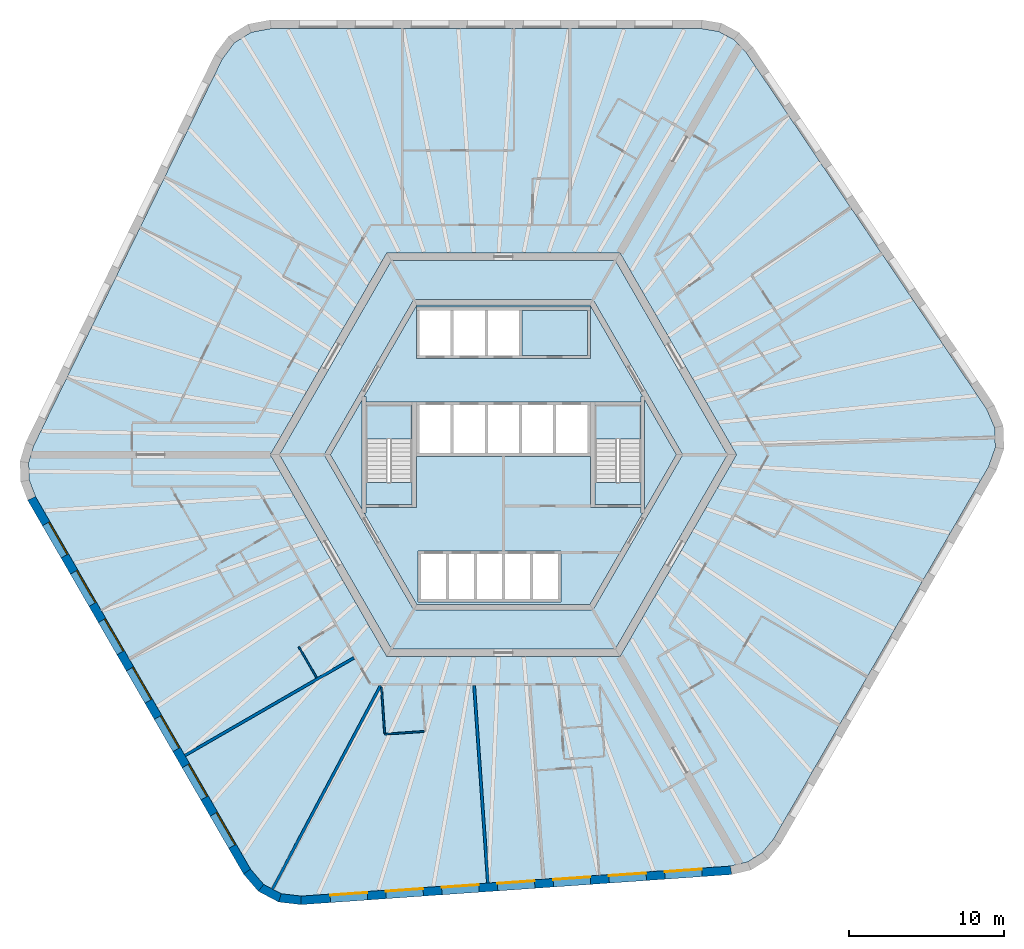
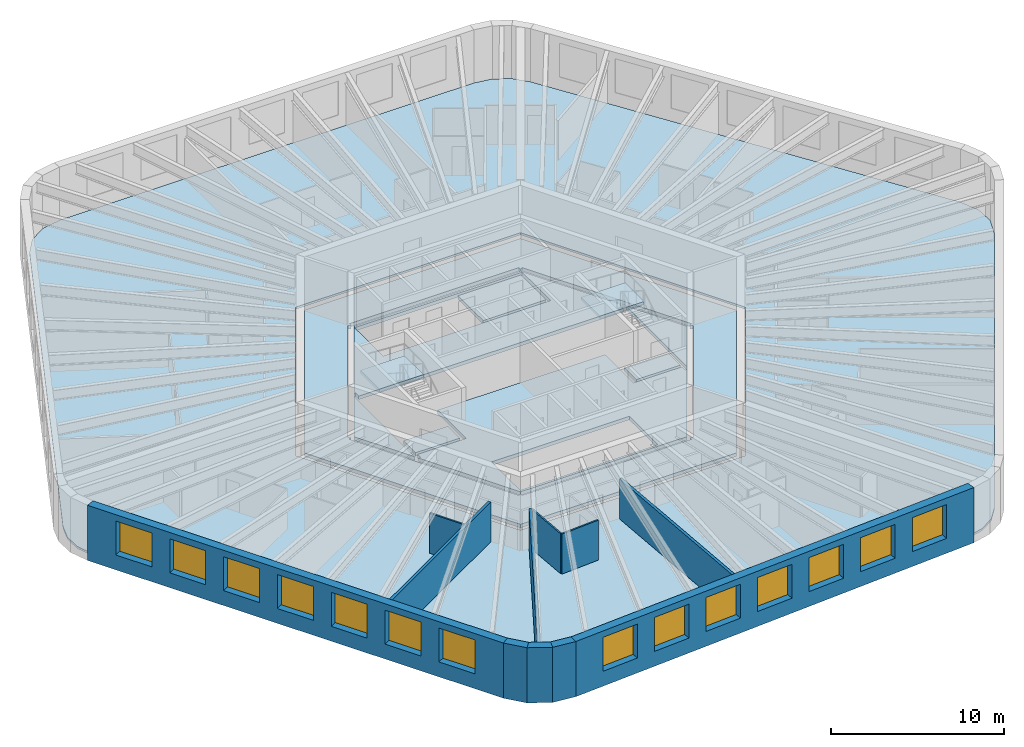
# One storey, part 2 of 10: 14 windows, 11 slabs, 11 walls, 14 openings, 2 elements without a shape of their own.
"""IFC4 building model written with IfcOpenShell, lengths in metres."""

from ifc_helpers import new_model, si_unit, direction, frame, frame_2d, origin, place, context, subcontext, project, spatial, polyline, rectangle, outline, extrude, material, layer, layer_set, type_object, element, fill, aggregate, save


model = new_model("IFC4")

# Units and contexts
model_context = context("Model", 3, precision=1e-05, world=origin(), true_north=direction((0.0, 1.0)))
body_context = subcontext(model_context, "Body", "Model", "MODEL_VIEW")
ifc_project = project(units=[si_unit("LENGTHUNIT", "METRE"), si_unit("AREAUNIT", "SQUARE_METRE"), si_unit("VOLUMEUNIT", "CUBIC_METRE"), si_unit("PLANEANGLEUNIT", "RADIAN"), si_unit("MASSUNIT", "GRAM", prefix="KILO")], contexts=[model_context])

# Site, building, storey
site_placement = place(None, origin())
site = spatial("IfcSite", under=ifc_project, at=site_placement, CompositionType="ELEMENT")
building_placement = place(site_placement, origin())
building = spatial("IfcBuilding", under=site, at=building_placement, Name="Tarnside Tower", CompositionType="ELEMENT")
storey_placement = place(building_placement, frame((0.0, 0.0, 156.60009765625)))
storey = spatial("IfcBuildingStorey", under=building, at=storey_placement, Name="L36", CompositionType="ELEMENT", Elevation=156.60009765625)

# Slabs
ifc_material_1 = material(Name="Concrete C35/45", Category="concrete")
ifc_layer_1 = layer(ifc_material_1, 0.14990234375)
ifc_layer_set_1 = layer_set([ifc_layer_1], Name="Composite floor slab 150")
slab_type_1 = type_object("IfcSlabType", Name="Composite floor slab 150", PredefinedType="FLOOR", material=ifc_layer_set_1)
slab_1_placement = place(storey_placement, frame((0.0, 0.0, -0.150146484375)))
element("IfcSlab", 1, at=slab_1_placement, inside=storey, type_object=slab_type_1, Name="Floor slab L36", PredefinedType="FLOOR", context=body_context, shape_type="SweptSolid", body=[
    extrude(outline(polyline([(13.864013671875, 27.264892578125), (14.85107421875, 26.740234375), (15.6337890625, 25.91064453125), (31.12890625, 2.938232421875), (31.644287109375, 1.7431640625), (31.68896484375, 0.468505859375), (31.258056640625, -0.759521484375), (17.403076171875, -24.7568359375), (16.68017578125, -25.63916015625), (15.732177734375, -26.2314453125), (14.622314453125, -26.494384765625), (-13.02001953125, -28.427490234375), (-14.3125, -28.2763671875), (-15.438720703125, -27.677490234375), (-16.286865234375, -26.6904296875), (-30.1416015625, -2.693115234375), (-30.544189453125, -1.6259765625), (-30.583251953125, -0.5087890625), (-30.256103515625, 0.583984375), (-18.10888671875, 25.4892578125), (-17.331787109375, 26.533203125), (-16.250244140625, 27.208984375), (-14.97119140625, 27.449951171875), (12.738525390625, 27.449951171875), (13.864013671875, 27.264892578125)]), holes=[polyline([(-15.010986328125, 0.0), (-7.505615234375, -13.0), (7.505615234375, -13.0), (15.010986328125, 0.0), (7.505615234375, 13.0), (-7.505615234375, 13.0), (-15.010986328125, 0.0)])]), origin(), (0.0, 0.0, 1.0), 0.150146484375),
])
ifc_material_2 = material(Name="Concrete C40/50", Category="concrete")
ifc_layer_2 = layer(ifc_material_2, 0.25)
ifc_layer_set_2 = layer_set([ifc_layer_2], Name="Core slab C40/50")
slab_type_2 = type_object("IfcSlabType", Name="Core slab C40/50", PredefinedType="FLOOR", material=ifc_layer_set_2)
slab_2_placement = place(storey_placement, frame((0.0, 0.0, -0.25)))
element("IfcSlab", 2, at=slab_2_placement, inside=storey, type_object=slab_type_2, Name="L36 core floor slab 1", PredefinedType="FLOOR", context=body_context, shape_type="SweptSolid", body=[
    extrude(outline(polyline([(-7.216796875, 12.5), (7.216796875, 12.5), (14.433837890625, 0.0), (7.216796875, -12.5), (-7.216796875, -12.5), (-14.433837890625, 0.0), (-7.216796875, 12.5)]), holes=[polyline([(5.823974609375, -9.91259765625), (11.49658203125, -0.08740234375), (11.344970703125, 0.0), (11.49658203125, 0.08740234375), (5.823974609375, 9.91259765625), (5.672607421875, 9.824951171875), (5.672607421875, 10.0), (-5.672607421875, 10.0), (-5.672607421875, 9.824951171875), (-5.823974609375, 9.91259765625), (-11.49658203125, 0.08740234375), (-11.344970703125, 0.0), (-11.49658203125, -0.08740234375), (-5.823974609375, -9.91259765625), (-5.672607421875, -9.824951171875), (-5.672607421875, -10.0), (5.672607421875, -10.0), (5.672607421875, -9.824951171875), (5.823974609375, -9.91259765625)])]), origin(), (0.0, 0.0, 1.0), 0.25),
])
slab_3_placement = place(storey_placement, frame((0.0, 0.0, -0.25)))
element("IfcSlab", 3, at=slab_3_placement, inside=storey, type_object=slab_type_2, Name="L36 core floor slab 2", PredefinedType="FLOOR", context=body_context, shape_type="SweptSolid", body=[
    extrude(outline(polyline([(-8.97509765625, 3.7548828125), (-5.5712890625, 9.64990234375), (5.5712890625, 9.64990234375), (8.97509765625, 3.7548828125), (8.85009765625, 3.7548828125), (8.85009765625, 3.39990234375), (5.89990234375, 3.39990234375), (5.60009765625, 3.39990234375), (5.60009765625, 3.39990234375), (-5.60009765625, 3.39990234375), (-5.89990234375, 3.39990234375), (-8.85009765625, 3.39990234375), (-8.85009765625, 3.7548828125), (-8.97509765625, 3.7548828125)]), holes=[polyline([(-5.60009765625, 6.199951171875), (5.60009765625, 6.199951171875), (5.60009765625, 6.39990234375), (5.60009765625, 9.300048828125), (5.60009765625, 9.5), (-5.60009765625, 9.5), (-5.60009765625, 9.300048828125), (-5.60009765625, 6.39990234375), (-5.60009765625, 6.199951171875)])]), origin(), (0.0, 0.0, 1.0), 0.25),
])
slab_4_placement = place(storey_placement, frame((0.0, 0.0, -0.25)))
element("IfcSlab", 4, at=slab_4_placement, inside=storey, type_object=slab_type_2, Name="L36 core floor slab 3", PredefinedType="FLOOR", context=body_context, shape_type="SweptSolid", body=[
    extrude(outline(polyline([(5.60009765625, -3.39990234375), (5.89990234375, -3.39990234375), (8.85009765625, -3.39990234375), (8.85009765625, -3.7548828125), (8.97509765625, -3.7548828125), (5.5712890625, -9.64990234375), (-5.5712890625, -9.64990234375), (-8.97509765625, -3.7548828125), (-8.85009765625, -3.7548828125), (-8.85009765625, -3.39990234375), (-5.89990234375, -3.39990234375), (-5.60009765625, -3.39990234375), (-5.60009765625, -0.10009765625), (5.60009765625, -0.10009765625), (5.60009765625, -3.39990234375)]), holes=[polyline([(-5.5, -9.300048828125), (-5.5, -9.5), (3.699951171875, -9.5), (3.699951171875, -9.300048828125), (3.699951171875, -6.39990234375), (3.699951171875, -6.199951171875), (-5.5, -6.199951171875), (-5.5, -6.39990234375), (-5.5, -9.300048828125)])]), origin(), (0.0, 0.0, 1.0), 0.25),
])
slab_5_placement = place(storey_placement, frame((0.0, 0.0, -0.25)))
element("IfcSlab", 5, at=slab_5_placement, inside=storey, type_object=slab_type_2, Name="L36 core floor slab 4", PredefinedType="FLOOR", context=body_context, shape_type="SweptSolid", body=[
    extrude(outline(polyline([(-11.142822265625, 0.0), (-9.10009765625, 3.538330078125), (-9.10009765625, -3.538330078125), (-11.142822265625, 0.0)])), origin(), (0.0, 0.0, 1.0), 0.25),
])
slab_6_placement = place(storey_placement, frame((0.0, 0.0, -0.25)))
element("IfcSlab", 6, at=slab_6_placement, inside=storey, type_object=slab_type_2, Name="L36 core floor slab 5", PredefinedType="FLOOR", context=body_context, shape_type="SweptSolid", body=[
    extrude(outline(polyline([(-8.85009765625, -1.800048828125), (-5.89990234375, -1.800048828125), (-5.89990234375, -3.199951171875), (-8.85009765625, -3.199951171875), (-8.85009765625, -1.800048828125)])), origin(), (0.0, 0.0, 1.0), 0.25),
])
slab_7_placement = place(storey_placement, frame((0.0, 0.0, -0.25)))
element("IfcSlab", 7, at=slab_7_placement, inside=storey, type_object=slab_type_2, Name="L36 core floor slab 6", PredefinedType="FLOOR", context=body_context, shape_type="SweptSolid", body=[
    extrude(outline(polyline([(5.89990234375, -3.199951171875), (5.89990234375, -1.800048828125), (8.85009765625, -1.800048828125), (8.85009765625, -3.199951171875), (5.89990234375, -3.199951171875)])), origin(), (0.0, 0.0, 1.0), 0.25),
])
slab_8_placement = place(storey_placement, frame((0.0, 0.0, -0.25)))
element("IfcSlab", 8, at=slab_8_placement, inside=storey, type_object=slab_type_2, Name="L36 core floor slab 7", PredefinedType="FLOOR", context=body_context, shape_type="SweptSolid", body=[
    extrude(outline(polyline([(9.10009765625, -3.538330078125), (9.10009765625, 3.538330078125), (11.142822265625, 0.0), (9.10009765625, -3.538330078125)])), origin(), (0.0, 0.0, 1.0), 0.25),
])
slab_9_placement = place(storey_placement, frame((0.0, 0.0, -0.25)))
element("IfcSlab", 9, at=slab_9_placement, inside=storey, type_object=slab_type_2, Name="L36 core floor slab 8", PredefinedType="FLOOR", context=body_context, shape_type="SweptSolid", body=[
    extrude(outline(polyline([(5.39990234375, 9.300048828125), (5.39990234375, 6.39990234375), (1.199951171875, 6.39990234375), (1.199951171875, 9.300048828125), (5.39990234375, 9.300048828125)])), origin(), (0.0, 0.0, 1.0), 0.25),
])

# Stair, slab
stair_type = type_object("IfcStairType", Name="Exit stair 1400 clear", PredefinedType="HALF_TURN_STAIR", material=ifc_material_2)
stair_1_placement = place(storey_placement, origin())
stair_1 = element("IfcStair", 10, at=stair_1_placement, inside=storey, type_object=stair_type, Name="L36 Exit stair 1", PredefinedType="HALF_TURN_STAIR")
ifc_layer_3 = layer(ifc_material_2, 0.199951171875)
ifc_layer_set_3 = layer_set([ifc_layer_3], Name="Stair landing 200 C40/50")
slab_type_3 = type_object("IfcSlabType", Name="Stair landing 200 C40/50", PredefinedType="LANDING", material=ifc_layer_set_3)
slab_10_placement = place(storey_placement, frame((0.0, 0.0, 1.75)))
slab_10 = element("IfcSlab", 11, at=slab_10_placement, type_object=slab_type_3, Name="ST1 landing 1", PredefinedType="LANDING", context=body_context, shape_type="SweptSolid", body=[
    extrude(outline(polyline([(8.85009765625, 1.0), (8.85009765625, 3.199951171875), (5.89990234375, 3.199951171875), (5.89990234375, 1.0), (8.85009765625, 1.0)])), origin(), (0.0, 0.0, 1.0), 0.199951171875),
])
aggregate(stair_1, [slab_10])

stair_2_placement = place(storey_placement, origin())
stair_2 = element("IfcStair", 12, at=stair_2_placement, inside=storey, type_object=stair_type, Name="L36 Exit stair 2", PredefinedType="HALF_TURN_STAIR")
slab_11_placement = place(storey_placement, frame((0.0, 0.0, 1.75)))
slab_11 = element("IfcSlab", 13, at=slab_11_placement, type_object=slab_type_3, Name="ST2 landing 1", PredefinedType="LANDING", context=body_context, shape_type="SweptSolid", body=[
    extrude(outline(polyline([(-5.89990234375, 1.0), (-5.89990234375, 3.199951171875), (-8.85009765625, 3.199951171875), (-8.85009765625, 1.0), (-5.89990234375, 1.0)])), origin(), (0.0, 0.0, 1.0), 0.199951171875),
])
aggregate(stair_2, [slab_11])

# Walls
ifc_material_3 = material(Name="Gypsum board partition on steel studs", Category="steel")
ifc_layer_4 = layer(ifc_material_3, 0.10009765625)
ifc_layer_set_4 = layer_set([ifc_layer_4], Name="Bathroom wall 100")
wall_type_1 = type_object("IfcWallType", Name="Bathroom wall 100", PredefinedType="PARTITIONING", material=ifc_layer_set_4)
wall_1_placement = place(storey_placement, frame((-12.028076171875, -14.36669921875, 0.0), z_axis=(0.0, 0.0, 1.0), x_axis=(-0.500015210774, 0.866016621662, 0.0)))
element("IfcWall", 14, at=wall_1_placement, inside=storey, type_object=wall_type_1, Name="Bathroom wall 11075", PredefinedType="PARTITIONING", context=body_context, shape_type="SweptSolid", body=[
    extrude(rectangle(XDim=2.31005859375, YDim=0.10009765625, at=frame_2d((1.155029296875, 0.0))), origin(), (0.0, 0.0, 1.0), 2.8232421875),
])
wall_2_placement = place(storey_placement, frame((-5.101806640625, -17.82275390625, 0.0), z_axis=(0.0, 0.0, 1.0), x_axis=(-0.997561167558, -0.069797686069, 0.0)))
element("IfcWall", 15, at=wall_2_placement, inside=storey, type_object=wall_type_1, Name="Bathroom wall 11081", PredefinedType="PARTITIONING", context=body_context, shape_type="SweptSolid", body=[
    extrude(rectangle(XDim=2.5498046875, YDim=0.10009765625, at=frame_2d((1.27490234375, 0.0))), origin(), (0.0, 0.0, 1.0), 2.8232421875),
])
wall_3_placement = place(storey_placement, frame((-7.64892578125, -17.950927734375, 0.0), z_axis=(0.0, 0.0, 1.0), x_axis=(-0.069760844897, 0.997563744589, 0.0)))
element("IfcWall", 16, at=wall_3_placement, inside=storey, type_object=wall_type_1, Name="Bathroom wall 11082", PredefinedType="PARTITIONING", context=body_context, shape_type="SweptSolid", body=[
    extrude(rectangle(XDim=2.98876953125, YDim=0.10009765625, at=frame_2d((1.494384765625, 0.0))), origin(), (0.0, 0.0, 1.0), 2.8232421875),
])
ifc_layer_5 = layer(ifc_material_3, 0.179931640625)
ifc_layer_set_5 = layer_set([ifc_layer_5], Name="Demising wall 180 EI 60")
wall_type_2 = type_object("IfcWallType", Name="Demising wall 180 EI 60", PredefinedType="PARTITIONING", material=ifc_layer_set_5)
wall_4_placement = place(storey_placement, frame((-20.513427734375, -19.36962890625, 0.0), z_axis=(0.0, 0.0, 1.0), x_axis=(0.866019402111, 0.500010395058, 0.0)))
element("IfcWall", 17, at=wall_4_placement, inside=storey, type_object=wall_type_2, Name="Demising wall 11077", PredefinedType="PARTITIONING", context=body_context, shape_type="SweptSolid", body=[
    extrude(rectangle(XDim=12.574951171875, YDim=0.179931640625, at=frame_2d((6.28759765625, 0.0))), origin(), (0.0, 0.0, 1.0), 2.8232421875),
])
wall_5_placement = place(storey_placement, frame((-14.875732421875, -27.97705078125, 0.0), z_axis=(0.0, 0.0, 1.0), x_axis=(0.469475175214, 0.882945672088, 0.0)))
element("IfcWall", 18, at=wall_5_placement, inside=storey, type_object=wall_type_2, Name="Demising wall 11079", PredefinedType="PARTITIONING", context=body_context, shape_type="SweptSolid", body=[
    extrude(rectangle(XDim=14.839111328125, YDim=0.179931640625, at=frame_2d((7.41943359375, 0.0))), origin(), (0.0, 0.0, 1.0), 2.8232421875),
])
wall_6_placement = place(storey_placement, frame((-0.99609375, -27.586669921875, 0.0), z_axis=(0.0, 0.0, 1.0), x_axis=(-0.069758774678, 0.99756388936, 0.0)))
element("IfcWall", 19, at=wall_6_placement, inside=storey, type_object=wall_type_2, Name="Demising wall 11083", PredefinedType="PARTITIONING", context=body_context, shape_type="SweptSolid", body=[
    extrude(rectangle(XDim=12.74267578125, YDim=0.179931640625, at=frame_2d((6.371337890625, 0.0))), origin(), (0.0, 0.0, 1.0), 2.8232421875),
])

# Wall, openings, windows
ifc_material_4 = material(Name="Facing brick", Category="masonry")
ifc_layer_6 = layer(ifc_material_4, 0.10205078125)
ifc_material_5 = material(Name="Concrete C60/75 precast", Category="concrete")
ifc_layer_7 = layer(ifc_material_5, 0.347900390625)
ifc_material_6 = material(Name="Mineral wool insulation")
ifc_layer_8 = layer(ifc_material_6, 0.10009765625)
ifc_layer_set_6 = layer_set([ifc_layer_6, ifc_layer_7, ifc_layer_8], Name="Tube wall 550 brick faced")
wall_type_3 = type_object("IfcWallType", Name="Tube wall 550 brick faced", PredefinedType="SOLIDWALL", material=ifc_layer_set_6)
wall_7_placement = place(storey_placement, frame((-30.39111328125, -2.81103515625, -0.150146484375), z_axis=(0.0, 0.0, 1.0), x_axis=(0.499998569178, -0.866026229868, 0.0)))
wall_7 = element("IfcWall", 20, at=wall_7_placement, inside=storey, type_object=wall_type_3, Name="Tube wall L36 F3 flush 08", PredefinedType="SOLIDWALL", context=body_context, shape_type="SweptSolid", body=[
    extrude(outline(polyline([(-0.0224609375, -0.27490234375), (27.783447265625, -0.27490234375), (27.732177734375, 0.27490234375), (0.0224609375, 0.27490234375), (-0.0224609375, -0.27490234375)])), origin(), (0.0, 0.0, 1.0), 3.900146484375),
])
opening_1_placement = place(wall_7_placement, frame((1.87890625, 0.0, 1.050048828125)))
opening_1 = element("IfcOpeningElement", 21, at=opening_1_placement, cuts=wall_7, Name="Opening WH", PredefinedType="OPENING", context=body_context, shape_type="SweptSolid", body=[
    extrude(rectangle(XDim=2.39990234375, YDim=2.39990234375, at=frame_2d((1.199951171875, 1.199951171875))), frame((0.0, 0.28515625, 0.0), z_axis=(0.0, -1.0, 0.0), x_axis=(1.0, 0.0, 0.0)), (0.0, 0.0, 1.0), 0.570068359375),
])
opening_2_placement = place(wall_7_placement, frame((5.47900390625, 0.0, 1.050048828125)))
opening_2 = element("IfcOpeningElement", 22, at=opening_2_placement, cuts=wall_7, Name="Opening WH", PredefinedType="OPENING", context=body_context, shape_type="SweptSolid", body=[
    extrude(rectangle(XDim=2.39990234375, YDim=2.39990234375, at=frame_2d((1.199951171875, 1.199951171875))), frame((0.0, 0.28515625, 0.0), z_axis=(0.0, -1.0, 0.0), x_axis=(1.0, 0.0, 0.0)), (0.0, 0.0, 1.0), 0.570068359375),
])
opening_3_placement = place(wall_7_placement, frame((9.078857421875, 0.0, 1.050048828125)))
opening_3 = element("IfcOpeningElement", 23, at=opening_3_placement, cuts=wall_7, Name="Opening WH", PredefinedType="OPENING", context=body_context, shape_type="SweptSolid", body=[
    extrude(rectangle(XDim=2.39990234375, YDim=2.39990234375, at=frame_2d((1.199951171875, 1.199951171875))), frame((0.0, 0.28515625, 0.0), z_axis=(0.0, -1.0, 0.0), x_axis=(1.0, 0.0, 0.0)), (0.0, 0.0, 1.0), 0.570068359375),
])
opening_4_placement = place(wall_7_placement, frame((12.678955078125, 0.0, 1.050048828125)))
opening_4 = element("IfcOpeningElement", 24, at=opening_4_placement, cuts=wall_7, Name="Opening WH", PredefinedType="OPENING", context=body_context, shape_type="SweptSolid", body=[
    extrude(rectangle(XDim=2.39990234375, YDim=2.39990234375, at=frame_2d((1.199951171875, 1.199951171875))), frame((0.0, 0.28515625, 0.0), z_axis=(0.0, -1.0, 0.0), x_axis=(1.0, 0.0, 0.0)), (0.0, 0.0, 1.0), 0.570068359375),
])
opening_5_placement = place(wall_7_placement, frame((16.27880859375, 0.0, 1.050048828125)))
opening_5 = element("IfcOpeningElement", 25, at=opening_5_placement, cuts=wall_7, Name="Opening WH", PredefinedType="OPENING", context=body_context, shape_type="SweptSolid", body=[
    extrude(rectangle(XDim=2.39990234375, YDim=2.39990234375, at=frame_2d((1.199951171875, 1.199951171875))), frame((0.0, 0.28515625, 0.0), z_axis=(0.0, -1.0, 0.0), x_axis=(1.0, 0.0, 0.0)), (0.0, 0.0, 1.0), 0.570068359375),
])
opening_6_placement = place(wall_7_placement, frame((19.87890625, 0.0, 1.050048828125)))
opening_6 = element("IfcOpeningElement", 26, at=opening_6_placement, cuts=wall_7, Name="Opening WH", PredefinedType="OPENING", context=body_context, shape_type="SweptSolid", body=[
    extrude(rectangle(XDim=2.39990234375, YDim=2.39990234375, at=frame_2d((1.199951171875, 1.199951171875))), frame((0.0, 0.28515625, 0.0), z_axis=(0.0, -1.0, 0.0), x_axis=(1.0, 0.0, 0.0)), (0.0, 0.0, 1.0), 0.570068359375),
])
opening_7_placement = place(wall_7_placement, frame((23.47900390625, 0.0, 1.050048828125)))
opening_7 = element("IfcOpeningElement", 27, at=opening_7_placement, cuts=wall_7, Name="Opening WH", PredefinedType="OPENING", context=body_context, shape_type="SweptSolid", body=[
    extrude(rectangle(XDim=2.39990234375, YDim=2.39990234375, at=frame_2d((1.199951171875, 1.199951171875))), frame((0.0, 0.28515625, 0.0), z_axis=(0.0, -1.0, 0.0), x_axis=(1.0, 0.0, 0.0)), (0.0, 0.0, 1.0), 0.570068359375),
])
ifc_material_7 = material(Name="Aluminium-framed double glazing", Category="aluminium")
window_type = type_object("IfcWindowType", Name="Hotel window 2400 x 2400", PartitioningType="DOUBLE_PANEL_VERTICAL", PredefinedType="WINDOW", material=ifc_material_7)
window_1_placement = place(opening_1_placement, frame((0.0, 0.205078125, 0.0)))
window_1 = element("IfcWindow", 28, at=window_1_placement, inside=storey, type_object=window_type, Name="E.WN.L36.F3.00", OverallHeight=2.39990234375, OverallWidth=2.39990234375, PartitioningType="DOUBLE_PANEL_VERTICAL", PredefinedType="WINDOW", context=body_context, shape_type="SweptSolid", body=[
    extrude(rectangle(XDim=2.39990234375, YDim=2.39990234375, at=frame_2d((1.199951171875, 1.199951171875))), frame((0.0, 0.030029296875, 0.0), z_axis=(0.0, -1.0, 0.0), x_axis=(1.0, 0.0, 0.0)), (0.0, 0.0, 1.0), 0.06005859375),
])
fill(opening_1, window_1)
window_2_placement = place(opening_2_placement, frame((0.0, 0.205078125, 0.0)))
window_2 = element("IfcWindow", 29, at=window_2_placement, inside=storey, type_object=window_type, Name="E.WN.L36.F3.01", OverallHeight=2.39990234375, OverallWidth=2.39990234375, PartitioningType="DOUBLE_PANEL_VERTICAL", PredefinedType="WINDOW", context=body_context, shape_type="SweptSolid", body=[
    extrude(rectangle(XDim=2.39990234375, YDim=2.39990234375, at=frame_2d((1.199951171875, 1.199951171875))), frame((0.0, 0.030029296875, 0.0), z_axis=(0.0, -1.0, 0.0), x_axis=(1.0, 0.0, 0.0)), (0.0, 0.0, 1.0), 0.06005859375),
])
fill(opening_2, window_2)
window_3_placement = place(opening_3_placement, frame((0.0, 0.205078125, 0.0)))
window_3 = element("IfcWindow", 30, at=window_3_placement, inside=storey, type_object=window_type, Name="E.WN.L36.F3.02", OverallHeight=2.39990234375, OverallWidth=2.39990234375, PartitioningType="DOUBLE_PANEL_VERTICAL", PredefinedType="WINDOW", context=body_context, shape_type="SweptSolid", body=[
    extrude(rectangle(XDim=2.39990234375, YDim=2.39990234375, at=frame_2d((1.199951171875, 1.199951171875))), frame((0.0, 0.030029296875, 0.0), z_axis=(0.0, -1.0, 0.0), x_axis=(1.0, 0.0, 0.0)), (0.0, 0.0, 1.0), 0.06005859375),
])
fill(opening_3, window_3)
window_4_placement = place(opening_4_placement, frame((0.0, 0.205078125, 0.0)))
window_4 = element("IfcWindow", 31, at=window_4_placement, inside=storey, type_object=window_type, Name="E.WN.L36.F3.03", OverallHeight=2.39990234375, OverallWidth=2.39990234375, PartitioningType="DOUBLE_PANEL_VERTICAL", PredefinedType="WINDOW", context=body_context, shape_type="SweptSolid", body=[
    extrude(rectangle(XDim=2.39990234375, YDim=2.39990234375, at=frame_2d((1.199951171875, 1.199951171875))), frame((0.0, 0.030029296875, 0.0), z_axis=(0.0, -1.0, 0.0), x_axis=(1.0, 0.0, 0.0)), (0.0, 0.0, 1.0), 0.06005859375),
])
fill(opening_4, window_4)
window_5_placement = place(opening_5_placement, frame((0.0, 0.205078125, 0.0)))
window_5 = element("IfcWindow", 32, at=window_5_placement, inside=storey, type_object=window_type, Name="E.WN.L36.F3.04", OverallHeight=2.39990234375, OverallWidth=2.39990234375, PartitioningType="DOUBLE_PANEL_VERTICAL", PredefinedType="WINDOW", context=body_context, shape_type="SweptSolid", body=[
    extrude(rectangle(XDim=2.39990234375, YDim=2.39990234375, at=frame_2d((1.199951171875, 1.199951171875))), frame((0.0, 0.030029296875, 0.0), z_axis=(0.0, -1.0, 0.0), x_axis=(1.0, 0.0, 0.0)), (0.0, 0.0, 1.0), 0.06005859375),
])
fill(opening_5, window_5)
window_6_placement = place(opening_6_placement, frame((0.0, 0.205078125, 0.0)))
window_6 = element("IfcWindow", 33, at=window_6_placement, inside=storey, type_object=window_type, Name="E.WN.L36.F3.05", OverallHeight=2.39990234375, OverallWidth=2.39990234375, PartitioningType="DOUBLE_PANEL_VERTICAL", PredefinedType="WINDOW", context=body_context, shape_type="SweptSolid", body=[
    extrude(rectangle(XDim=2.39990234375, YDim=2.39990234375, at=frame_2d((1.199951171875, 1.199951171875))), frame((0.0, 0.030029296875, 0.0), z_axis=(0.0, -1.0, 0.0), x_axis=(1.0, 0.0, 0.0)), (0.0, 0.0, 1.0), 0.06005859375),
])
fill(opening_6, window_6)
window_7_placement = place(opening_7_placement, frame((0.0, 0.205078125, 0.0)))
window_7 = element("IfcWindow", 34, at=window_7_placement, inside=storey, type_object=window_type, Name="E.WN.L36.F3.06", OverallHeight=2.39990234375, OverallWidth=2.39990234375, PartitioningType="DOUBLE_PANEL_VERTICAL", PredefinedType="WINDOW", context=body_context, shape_type="SweptSolid", body=[
    extrude(rectangle(XDim=2.39990234375, YDim=2.39990234375, at=frame_2d((1.199951171875, 1.199951171875))), frame((0.0, 0.030029296875, 0.0), z_axis=(0.0, -1.0, 0.0), x_axis=(1.0, 0.0, 0.0)), (0.0, 0.0, 1.0), 0.06005859375),
])
fill(opening_7, window_7)

# Walls
wall_8_placement = place(storey_placement, frame((-16.51220703125, -26.85009765625, -0.150146484375), z_axis=(0.0, 0.0, 1.0), x_axis=(0.651621950847, -0.758543890078, 0.0)))
element("IfcWall", 35, at=wall_8_placement, inside=storey, type_object=wall_type_3, Name="Tube wall L36 F3 chord 09", PredefinedType="SOLIDWALL", context=body_context, shape_type="SweptSolid", body=[
    extrude(outline(polyline([(-0.025634765625, -0.27490234375), (1.430908203125, -0.27490234375), (1.327392578125, 0.27490234375), (0.025634765625, 0.27490234375), (-0.025634765625, -0.27490234375)])), origin(), (0.0, 0.0, 1.0), 3.900146484375),
])
wall_9_placement = place(storey_placement, frame((-15.613525390625, -27.896240234375, -0.150146484375), z_axis=(0.0, 0.0, 1.0), x_axis=(0.882994189209, -0.469383917304, 0.0)))
element("IfcWall", 36, at=wall_9_placement, inside=storey, type_object=wall_type_3, Name="Tube wall L36 F3 chord 10", PredefinedType="SOLIDWALL", context=body_context, shape_type="SweptSolid", body=[
    extrude(outline(polyline([(-0.0517578125, -0.27490234375), (1.4306640625, -0.27490234375), (1.3271484375, 0.27490234375), (0.0517578125, 0.27490234375), (-0.0517578125, -0.27490234375)])), origin(), (0.0, 0.0, 1.0), 3.900146484375),
])
wall_10_placement = place(storey_placement, frame((-14.39599609375, -28.54345703125, -0.150146484375), z_axis=(0.0, 0.0, 1.0), x_axis=(0.993232537394, -0.11614269956, 0.0)))
element("IfcWall", 37, at=wall_10_placement, inside=storey, type_object=wall_type_3, Name="Tube wall L36 F3 chord 11", PredefinedType="SOLIDWALL", context=body_context, shape_type="SweptSolid", body=[
    extrude(outline(polyline([(-0.0517578125, -0.27490234375), (1.404541015625, -0.27490234375), (1.353271484375, 0.27490234375), (0.0517578125, 0.27490234375), (-0.0517578125, -0.27490234375)])), origin(), (0.0, 0.0, 1.0), 3.900146484375),
])

# Wall, openings, windows
wall_11_placement = place(storey_placement, frame((-13.0263671875, -28.70361328125, -0.150146484375), z_axis=(0.0, 0.0, 1.0), x_axis=(0.99756406806, 0.069756219185, 0.0)))
wall_11 = element("IfcWall", 38, at=wall_11_placement, inside=storey, type_object=wall_type_3, Name="Tube wall L36 F4 flush 12", PredefinedType="SOLIDWALL", context=body_context, shape_type="SweptSolid", body=[
    extrude(outline(polyline([(-0.025634765625, -0.27490234375), (27.7802734375, -0.27490234375), (27.7353515625, 0.27490234375), (0.025634765625, 0.27490234375), (-0.025634765625, -0.27490234375)])), origin(), (0.0, 0.0, 1.0), 3.900146484375),
])
opening_8_placement = place(wall_11_placement, frame((1.87890625, 0.0, 1.050048828125)))
opening_8 = element("IfcOpeningElement", 39, at=opening_8_placement, cuts=wall_11, Name="Opening WH", PredefinedType="OPENING", context=body_context, shape_type="SweptSolid", body=[
    extrude(rectangle(XDim=2.39990234375, YDim=2.39990234375, at=frame_2d((1.199951171875, 1.199951171875))), frame((0.0, 0.28515625, 0.0), z_axis=(0.0, -1.0, 0.0), x_axis=(1.0, 0.0, 0.0)), (0.0, 0.0, 1.0), 0.570068359375),
])
opening_9_placement = place(wall_11_placement, frame((5.47900390625, 0.0, 1.050048828125)))
opening_9 = element("IfcOpeningElement", 40, at=opening_9_placement, cuts=wall_11, Name="Opening WH", PredefinedType="OPENING", context=body_context, shape_type="SweptSolid", body=[
    extrude(rectangle(XDim=2.39990234375, YDim=2.39990234375, at=frame_2d((1.199951171875, 1.199951171875))), frame((0.0, 0.28515625, 0.0), z_axis=(0.0, -1.0, 0.0), x_axis=(1.0, 0.0, 0.0)), (0.0, 0.0, 1.0), 0.570068359375),
])
opening_10_placement = place(wall_11_placement, frame((9.078857421875, 0.0, 1.050048828125)))
opening_10 = element("IfcOpeningElement", 41, at=opening_10_placement, cuts=wall_11, Name="Opening WH", PredefinedType="OPENING", context=body_context, shape_type="SweptSolid", body=[
    extrude(rectangle(XDim=2.39990234375, YDim=2.39990234375, at=frame_2d((1.199951171875, 1.199951171875))), frame((0.0, 0.28515625, 0.0), z_axis=(0.0, -1.0, 0.0), x_axis=(1.0, 0.0, 0.0)), (0.0, 0.0, 1.0), 0.570068359375),
])
opening_11_placement = place(wall_11_placement, frame((12.678955078125, 0.0, 1.050048828125)))
opening_11 = element("IfcOpeningElement", 42, at=opening_11_placement, cuts=wall_11, Name="Opening WH", PredefinedType="OPENING", context=body_context, shape_type="SweptSolid", body=[
    extrude(rectangle(XDim=2.39990234375, YDim=2.39990234375, at=frame_2d((1.199951171875, 1.199951171875))), frame((0.0, 0.28515625, 0.0), z_axis=(0.0, -1.0, 0.0), x_axis=(1.0, 0.0, 0.0)), (0.0, 0.0, 1.0), 0.570068359375),
])
opening_12_placement = place(wall_11_placement, frame((16.27880859375, 0.0, 1.050048828125)))
opening_12 = element("IfcOpeningElement", 43, at=opening_12_placement, cuts=wall_11, Name="Opening WH", PredefinedType="OPENING", context=body_context, shape_type="SweptSolid", body=[
    extrude(rectangle(XDim=2.39990234375, YDim=2.39990234375, at=frame_2d((1.199951171875, 1.199951171875))), frame((0.0, 0.28515625, 0.0), z_axis=(0.0, -1.0, 0.0), x_axis=(1.0, 0.0, 0.0)), (0.0, 0.0, 1.0), 0.570068359375),
])
opening_13_placement = place(wall_11_placement, frame((19.87890625, 0.0, 1.050048828125)))
opening_13 = element("IfcOpeningElement", 44, at=opening_13_placement, cuts=wall_11, Name="Opening WH", PredefinedType="OPENING", context=body_context, shape_type="SweptSolid", body=[
    extrude(rectangle(XDim=2.39990234375, YDim=2.39990234375, at=frame_2d((1.199951171875, 1.199951171875))), frame((0.0, 0.28515625, 0.0), z_axis=(0.0, -1.0, 0.0), x_axis=(1.0, 0.0, 0.0)), (0.0, 0.0, 1.0), 0.570068359375),
])
opening_14_placement = place(wall_11_placement, frame((23.47900390625, 0.0, 1.050048828125)))
opening_14 = element("IfcOpeningElement", 45, at=opening_14_placement, cuts=wall_11, Name="Opening WH", PredefinedType="OPENING", context=body_context, shape_type="SweptSolid", body=[
    extrude(rectangle(XDim=2.39990234375, YDim=2.39990234375, at=frame_2d((1.199951171875, 1.199951171875))), frame((0.0, 0.28515625, 0.0), z_axis=(0.0, -1.0, 0.0), x_axis=(1.0, 0.0, 0.0)), (0.0, 0.0, 1.0), 0.570068359375),
])
window_8_placement = place(opening_8_placement, frame((0.0, 0.205078125, 0.0)))
window_8 = element("IfcWindow", 46, at=window_8_placement, inside=storey, type_object=window_type, Name="E.WN.L36.F4.00", OverallHeight=2.39990234375, OverallWidth=2.39990234375, PartitioningType="DOUBLE_PANEL_VERTICAL", PredefinedType="WINDOW", context=body_context, shape_type="SweptSolid", body=[
    extrude(rectangle(XDim=2.39990234375, YDim=2.39990234375, at=frame_2d((1.199951171875, 1.199951171875))), frame((0.0, 0.030029296875, 0.0), z_axis=(0.0, -1.0, 0.0), x_axis=(1.0, 0.0, 0.0)), (0.0, 0.0, 1.0), 0.06005859375),
])
fill(opening_8, window_8)
window_9_placement = place(opening_9_placement, frame((0.0, 0.205078125, 0.0)))
window_9 = element("IfcWindow", 47, at=window_9_placement, inside=storey, type_object=window_type, Name="E.WN.L36.F4.01", OverallHeight=2.39990234375, OverallWidth=2.39990234375, PartitioningType="DOUBLE_PANEL_VERTICAL", PredefinedType="WINDOW", context=body_context, shape_type="SweptSolid", body=[
    extrude(rectangle(XDim=2.39990234375, YDim=2.39990234375, at=frame_2d((1.199951171875, 1.199951171875))), frame((0.0, 0.030029296875, 0.0), z_axis=(0.0, -1.0, 0.0), x_axis=(1.0, 0.0, 0.0)), (0.0, 0.0, 1.0), 0.06005859375),
])
fill(opening_9, window_9)
window_10_placement = place(opening_10_placement, frame((0.0, 0.205078125, 0.0)))
window_10 = element("IfcWindow", 48, at=window_10_placement, inside=storey, type_object=window_type, Name="E.WN.L36.F4.02", OverallHeight=2.39990234375, OverallWidth=2.39990234375, PartitioningType="DOUBLE_PANEL_VERTICAL", PredefinedType="WINDOW", context=body_context, shape_type="SweptSolid", body=[
    extrude(rectangle(XDim=2.39990234375, YDim=2.39990234375, at=frame_2d((1.199951171875, 1.199951171875))), frame((0.0, 0.030029296875, 0.0), z_axis=(0.0, -1.0, 0.0), x_axis=(1.0, 0.0, 0.0)), (0.0, 0.0, 1.0), 0.06005859375),
])
fill(opening_10, window_10)
window_11_placement = place(opening_11_placement, frame((0.0, 0.205078125, 0.0)))
window_11 = element("IfcWindow", 49, at=window_11_placement, inside=storey, type_object=window_type, Name="E.WN.L36.F4.03", OverallHeight=2.39990234375, OverallWidth=2.39990234375, PartitioningType="DOUBLE_PANEL_VERTICAL", PredefinedType="WINDOW", context=body_context, shape_type="SweptSolid", body=[
    extrude(rectangle(XDim=2.39990234375, YDim=2.39990234375, at=frame_2d((1.199951171875, 1.199951171875))), frame((0.0, 0.030029296875, 0.0), z_axis=(0.0, -1.0, 0.0), x_axis=(1.0, 0.0, 0.0)), (0.0, 0.0, 1.0), 0.06005859375),
])
fill(opening_11, window_11)
window_12_placement = place(opening_12_placement, frame((0.0, 0.205078125, 0.0)))
window_12 = element("IfcWindow", 50, at=window_12_placement, inside=storey, type_object=window_type, Name="E.WN.L36.F4.04", OverallHeight=2.39990234375, OverallWidth=2.39990234375, PartitioningType="DOUBLE_PANEL_VERTICAL", PredefinedType="WINDOW", context=body_context, shape_type="SweptSolid", body=[
    extrude(rectangle(XDim=2.39990234375, YDim=2.39990234375, at=frame_2d((1.199951171875, 1.199951171875))), frame((0.0, 0.030029296875, 0.0), z_axis=(0.0, -1.0, 0.0), x_axis=(1.0, 0.0, 0.0)), (0.0, 0.0, 1.0), 0.06005859375),
])
fill(opening_12, window_12)
window_13_placement = place(opening_13_placement, frame((0.0, 0.205078125, 0.0)))
window_13 = element("IfcWindow", 51, at=window_13_placement, inside=storey, type_object=window_type, Name="E.WN.L36.F4.05", OverallHeight=2.39990234375, OverallWidth=2.39990234375, PartitioningType="DOUBLE_PANEL_VERTICAL", PredefinedType="WINDOW", context=body_context, shape_type="SweptSolid", body=[
    extrude(rectangle(XDim=2.39990234375, YDim=2.39990234375, at=frame_2d((1.199951171875, 1.199951171875))), frame((0.0, 0.030029296875, 0.0), z_axis=(0.0, -1.0, 0.0), x_axis=(1.0, 0.0, 0.0)), (0.0, 0.0, 1.0), 0.06005859375),
])
fill(opening_13, window_13)
window_14_placement = place(opening_14_placement, frame((0.0, 0.205078125, 0.0)))
window_14 = element("IfcWindow", 52, at=window_14_placement, inside=storey, type_object=window_type, Name="E.WN.L36.F4.06", OverallHeight=2.39990234375, OverallWidth=2.39990234375, PartitioningType="DOUBLE_PANEL_VERTICAL", PredefinedType="WINDOW", context=body_context, shape_type="SweptSolid", body=[
    extrude(rectangle(XDim=2.39990234375, YDim=2.39990234375, at=frame_2d((1.199951171875, 1.199951171875))), frame((0.0, 0.030029296875, 0.0), z_axis=(0.0, -1.0, 0.0), x_axis=(1.0, 0.0, 0.0)), (0.0, 0.0, 1.0), 0.06005859375),
])
fill(opening_14, window_14)

save(model, "model.ifc")
